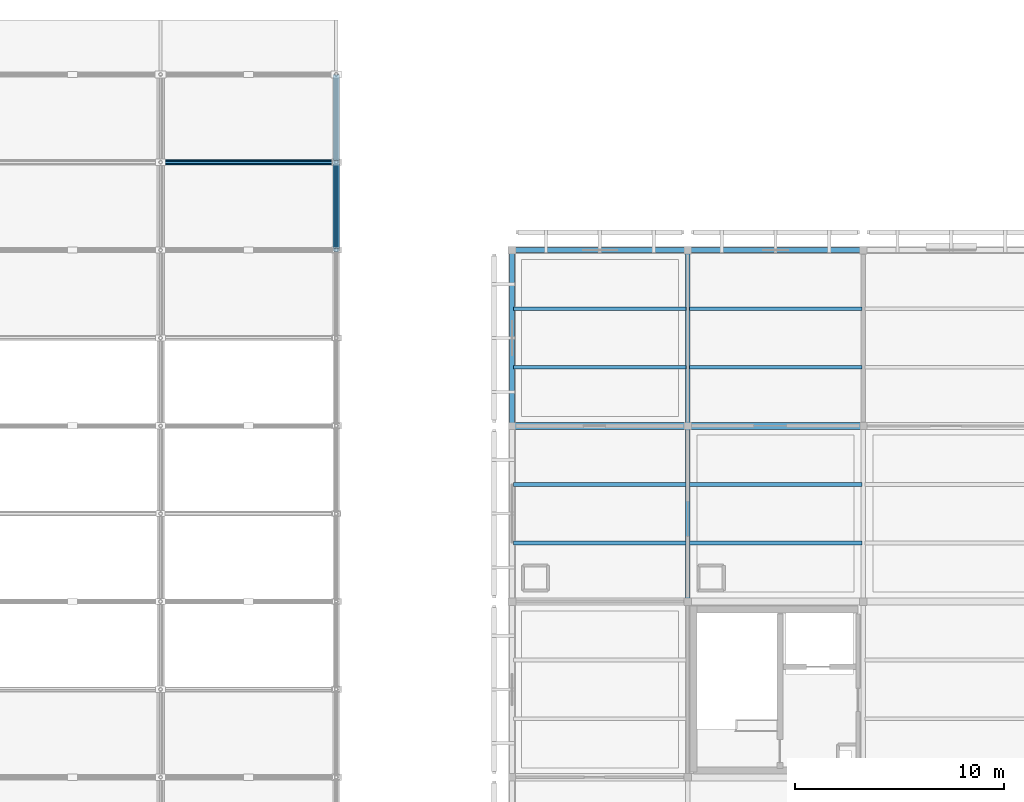
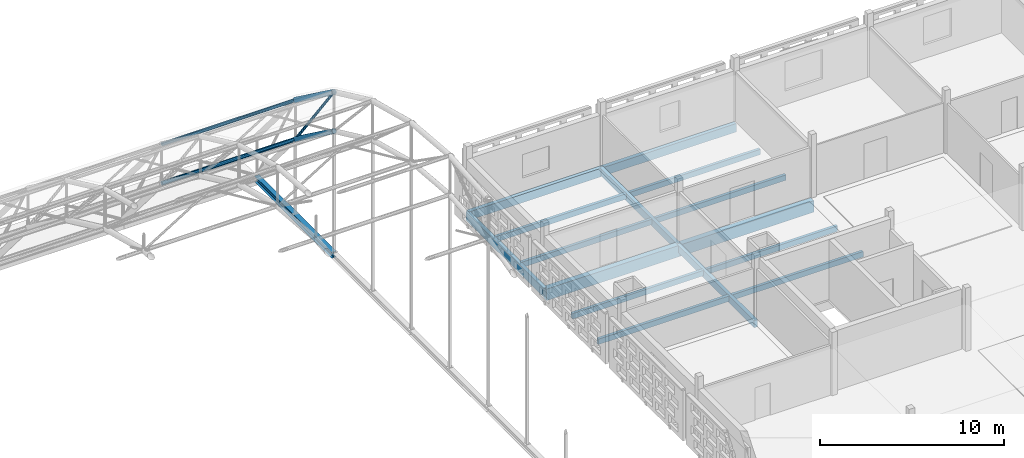
# One storey, part 62 of 103: 18 beams, 3 members.
"""IFC4 building model written with IfcOpenShell, lengths in metres."""

from ifc_helpers import new_model, si_unit, direction, frame, origin, origin_2d, place, context, subcontext, project, spatial, rectangle, hollow_circle, i_section, extrude, material, material_profile, profile_set, type_object, element, save


model = new_model("IFC4")

# Units and contexts
model_context = context("Model", 3, precision=1e-05, world=origin(), true_north=direction((0.0, 1.0)))
body_context = subcontext(model_context, "Body", "Model", "MODEL_VIEW")
ifc_project = project(units=[si_unit("LENGTHUNIT", "METRE"), si_unit("AREAUNIT", "SQUARE_METRE"), si_unit("VOLUMEUNIT", "CUBIC_METRE"), si_unit("PLANEANGLEUNIT", "RADIAN"), si_unit("MASSUNIT", "GRAM", prefix="KILO")], contexts=[model_context])

# Site, building, storey
site_placement = place(None, origin())
site = spatial("IfcSite", under=ifc_project, at=site_placement, CompositionType="ELEMENT")
building_placement = place(site_placement, origin())
building = spatial("IfcBuilding", under=site, at=building_placement, Name="Varnapada Polytechnic", CompositionType="ELEMENT")
storey_placement = place(building_placement, frame((0.0, 0.0, 18.0)))
storey = spatial("IfcBuildingStorey", under=building, at=storey_placement, Name="L04", CompositionType="ELEMENT", Elevation=18.0)

# Beams
ifc_material_1 = material(Name="Glulam GL32h", Category="wood")
ifc_material_profile_1 = material_profile(ifc_material_1, rectangle(XDim=0.340087890625, YDim=0.760009765625, at=origin_2d()), Name="GL 340x760")
ifc_profile_set_1 = profile_set([ifc_material_profile_1], Name="Glulam GL32h")
beam_type_1 = type_object("IfcBeamType", Name="Archive stack glulam girder GG-07 (GL 340x760)", PredefinedType="BEAM", material=ifc_profile_set_1)
beam_1_placement = place(storey_placement, frame((142.800048828125, 109.199951171875, -0.60009765625), z_axis=(1.0, 0.0, 0.0), x_axis=(0.0, 1.0, 0.0)))
element("IfcBeam", 1, at=beam_1_placement, inside=storey, type_object=beam_type_1, Name="L04 beam X 18-19 at Y14", PredefinedType="BEAM", context=body_context, shape_type="SweptSolid", body=[
    extrude(rectangle(XDim=0.340087890625, YDim=0.760009765625, at=origin_2d()), origin(), (0.0, 0.0, 1.0), 8.39990234375),
])
beam_2_placement = place(storey_placement, frame((151.199951171875, 109.199951171875, -0.60009765625), z_axis=(1.0, 0.0, 0.0), x_axis=(0.0, 1.0, 0.0)))
element("IfcBeam", 2, at=beam_2_placement, inside=storey, type_object=beam_type_1, Name="L04 beam X 19-20 at Y14", PredefinedType="BEAM", context=body_context, shape_type="SweptSolid", body=[
    extrude(rectangle(XDim=0.340087890625, YDim=0.760009765625, at=origin_2d()), origin(), (0.0, 0.0, 1.0), 8.400146484375),
])
ifc_material_profile_2 = material_profile(ifc_material_1, rectangle(XDim=0.239990234375, YDim=0.56005859375, at=origin_2d()), Name="GL 240x560")
ifc_profile_set_2 = profile_set([ifc_material_profile_2], Name="Glulam GL32h")
beam_type_2 = type_object("IfcBeamType", Name="Perimeter glulam spandrel beam SP-02 (GL 240x560)", PredefinedType="SPANDREL", material=ifc_profile_set_2)
beam_3_placement = place(storey_placement, frame((142.800048828125, 117.60009765625, -0.5), z_axis=(1.0, 0.0, 0.0), x_axis=(0.0, 1.0, 0.0)))
element("IfcBeam", 3, at=beam_3_placement, inside=storey, type_object=beam_type_2, Name="L04 beam X 18-19 at Y15", PredefinedType="SPANDREL", context=body_context, shape_type="SweptSolid", body=[
    extrude(rectangle(XDim=0.239990234375, YDim=0.56005859375, at=origin_2d()), origin(), (0.0, 0.0, 1.0), 8.39990234375),
])
for number, where, z_axis, x_axis, name in (
    (4, (151.199951171875, 117.60009765625, -0.5), (1.0, 0.0, 0.0), (0.0, 1.0, 0.0), "L04 beam X 19-20 at Y15"),
    (5, (142.800048828125, 109.199951171875, -0.5), (0.0, 1.0, 0.0), (-1.0, 0.0, 0.0), "L04 beam Y 14-15 at X18"),
):
    element("IfcBeam", number, at=place(storey_placement, frame(where, z_axis=z_axis, x_axis=x_axis)), inside=storey, type_object=beam_type_2, Name=name, PredefinedType="SPANDREL", context=body_context, shape_type="SweptSolid", body=[
        extrude(rectangle(XDim=0.239990234375, YDim=0.56005859375, at=origin_2d()), origin(), (0.0, 0.0, 1.0), 8.400146484375),
    ])
ifc_material_2 = material(Name="Steel S355", Category="steel")
ifc_material_profile_3 = material_profile(ifc_material_2, hollow_circle(Radius=0.149169921875, WallThickness=0.010009765625, at=origin_2d()), Name="CHS 298.5x10.0")
ifc_profile_set_3 = profile_set([ifc_material_profile_3], Name="Steel S355")
beam_type_3 = type_object("IfcBeamType", Name="Space frame end-bay arch rib VA-04 (CHS 298.5x10.0)", PredefinedType="BEAM", material=ifc_profile_set_3)
beam_4_placement = place(storey_placement, frame((134.39990234375, 117.60009765625, 8.02783203125), z_axis=(0.0, 0.806528689778, -0.591194953095), x_axis=(-1.0, 0.0, 0.0)))
element("IfcBeam", 6, at=beam_4_placement, inside=storey, type_object=beam_type_3, Name="Vaulted space frame bottom arch chord 11.9", PredefinedType="BEAM", context=body_context, shape_type="SweptSolid", body=[
    extrude(hollow_circle(Radius=0.149169921875, WallThickness=0.010009765625, at=origin_2d()), origin(), (0.0, 0.0, 1.0), 5.20751953125),
])

# Member
ifc_material_profile_4 = material_profile(ifc_material_2, hollow_circle(Radius=0.07958984375, WallThickness=0.00634765625, at=origin_2d()), Name="CHS 159.0x6.3")
ifc_profile_set_4 = profile_set([ifc_material_profile_4], Name="Steel S355")
member_type_1 = type_object("IfcMemberType", Name="Space frame perimeter web diagonal SFB-03 (CHS 159.0x6.3)", PredefinedType="BRACE", material=ifc_profile_set_4)
member_1_placement = place(storey_placement, frame((134.39990234375, 117.60009765625, 10.6279296875), z_axis=(0.0, 0.594633036041, -0.803997234105), x_axis=(-1.0, 0.0, 0.0)))
element("IfcMember", 7, at=member_1_placement, inside=storey, type_object=member_type_1, Name="Vaulted space frame web diagonal 11.9", PredefinedType="BRACE", context=body_context, shape_type="SweptSolid", body=[
    extrude(hollow_circle(Radius=0.07958984375, WallThickness=0.00634765625, at=origin_2d()), origin(), (0.0, 0.0, 1.0), 7.06298828125),
])

# Beams
ifc_material_profile_5 = material_profile(ifc_material_2, i_section(OverallWidth=0.300048828125, OverallDepth=0.389892578125, WebThickness=0.010986328125, FlangeThickness=0.01904296875, FilletRadius=0.027099609375, at=origin_2d()), Name="HEA 400")
ifc_profile_set_5 = profile_set([ifc_material_profile_5], Name="Steel S355")
beam_type_4 = type_object("IfcBeamType", Name="Steel roof primary girder SG-01 (HEA 400)", PredefinedType="BEAM", material=ifc_profile_set_5)
beam_5_placement = place(storey_placement, frame((134.39990234375, 117.60009765625, -0.18994140625), z_axis=(0.0, 1.0, 0.0), x_axis=(-1.0, 0.0, 0.0)))
element("IfcBeam", 8, at=beam_5_placement, inside=storey, type_object=beam_type_4, Name="L04 workshop arch tympanum sill girder E.5", PredefinedType="BEAM", context=body_context, shape_type="SweptSolid", body=[
    extrude(i_section(OverallWidth=0.300048828125, OverallDepth=0.389892578125, WebThickness=0.010986328125, FlangeThickness=0.01904296875, FilletRadius=0.027099609375, at=origin_2d()), origin(), (0.0, 0.0, 1.0), 8.39990234375),
])
ifc_material_profile_6 = material_profile(ifc_material_1, rectangle(XDim=0.179931640625, YDim=0.360107421875, at=origin_2d()), Name="GL 180x360")
ifc_profile_set_6 = profile_set([ifc_material_profile_6], Name="Glulam GL32h")
beam_type_5 = type_object("IfcBeamType", Name="Studio/seminar glulam floor joist GJ-02 (GL 180x360)", PredefinedType="JOIST", material=ifc_profile_set_6)
for number, where, z_axis, x_axis, name in (
    (9, (142.8798828125, 103.60009765625, -0.39990234375), (1.0, 0.0, 0.0), (0.0, 1.0, 0.0), "L04 floor joist 18/13.1"),
    (10, (142.8798828125, 106.39990234375, -0.39990234375), (1.0, 0.0, 0.0), (0.0, 1.0, 0.0), "L04 floor joist 18/13.2"),
    (11, (142.8798828125, 112.0, -0.39990234375), (1.0, 0.0, 0.0), (0.0, 1.0, 0.0), "L04 floor joist 18/14.1"),
    (12, (142.8798828125, 114.800048828125, -0.39990234375), (1.0, 0.0, 0.0), (0.0, 1.0, 0.0), "L04 floor joist 18/14.2"),
):
    element("IfcBeam", number, at=place(storey_placement, frame(where, z_axis=z_axis, x_axis=x_axis)), inside=storey, type_object=beam_type_5, Name=name, PredefinedType="JOIST", context=body_context, shape_type="SweptSolid", body=[
        extrude(rectangle(XDim=0.179931640625, YDim=0.360107421875, at=origin_2d()), origin(), (0.0, 0.0, 1.0), 8.240234375),
    ])
for number, where, z_axis, x_axis, name in (
    (13, (151.280029296875, 103.60009765625, -0.39990234375), (1.0, 0.0, 0.0), (0.0, 1.0, 0.0), "L04 floor joist 19/13.1"),
    (14, (151.280029296875, 106.39990234375, -0.39990234375), (1.0, 0.0, 0.0), (0.0, 1.0, 0.0), "L04 floor joist 19/13.2"),
    (15, (151.280029296875, 112.0, -0.39990234375), (1.0, 0.0, 0.0), (0.0, 1.0, 0.0), "L04 floor joist 19/14.1"),
    (16, (151.280029296875, 114.800048828125, -0.39990234375), (1.0, 0.0, 0.0), (0.0, 1.0, 0.0), "L04 floor joist 19/14.2"),
):
    element("IfcBeam", number, at=place(storey_placement, frame(where, z_axis=z_axis, x_axis=x_axis)), inside=storey, type_object=beam_type_5, Name=name, PredefinedType="JOIST", context=body_context, shape_type="SweptSolid", body=[
        extrude(rectangle(XDim=0.179931640625, YDim=0.360107421875, at=origin_2d()), origin(), (0.0, 0.0, 1.0), 8.239990234375),
    ])
ifc_material_profile_7 = material_profile(ifc_material_1, rectangle(XDim=0.219970703125, YDim=0.47998046875, at=origin_2d()), Name="GL 220x480")
ifc_profile_set_7 = profile_set([ifc_material_profile_7], Name="Glulam GL32h")
beam_type_6 = type_object("IfcBeamType", Name="Upper floor glulam tie beam GB-11 (GL 220x480)", PredefinedType="BEAM", material=ifc_profile_set_7)
beam_6_placement = place(storey_placement, frame((151.199951171875, 100.800048828125, -0.4599609375), z_axis=(0.0, 1.0, 0.0), x_axis=(-1.0, 0.0, 0.0)))
element("IfcBeam", 17, at=beam_6_placement, inside=storey, type_object=beam_type_6, Name="L04 beam Y 13-14 at X19", PredefinedType="BEAM", context=body_context, shape_type="SweptSolid", body=[
    extrude(rectangle(XDim=0.219970703125, YDim=0.47998046875, at=origin_2d()), origin(), (0.0, 0.0, 1.0), 8.39990234375),
])
beam_7_placement = place(storey_placement, frame((151.199951171875, 109.199951171875, -0.4599609375), z_axis=(0.0, 1.0, 0.0), x_axis=(-1.0, 0.0, 0.0)))
element("IfcBeam", 18, at=beam_7_placement, inside=storey, type_object=beam_type_6, Name="L04 beam Y 14-15 at X19", PredefinedType="BEAM", context=body_context, shape_type="SweptSolid", body=[
    extrude(rectangle(XDim=0.219970703125, YDim=0.47998046875, at=origin_2d()), origin(), (0.0, 0.0, 1.0), 8.400146484375),
])

# Members
ifc_material_profile_8 = material_profile(ifc_material_2, hollow_circle(Radius=0.122314453125, WallThickness=0.008056640625, at=origin_2d()), Name="CHS 244.5x8.0")
ifc_profile_set_8 = profile_set([ifc_material_profile_8], Name="Steel S355")
member_type_2 = type_object("IfcMemberType", Name="Vaulted space frame longitudinal bottom chord SFC-01 (CHS 244.5x8.0)", PredefinedType="CHORD", material=ifc_profile_set_8)
member_2_placement = place(storey_placement, frame((126.0, 121.800048828125, 4.94921875), z_axis=(1.0, 0.0, 0.0), x_axis=(0.0, 1.0, 0.0)))
element("IfcMember", 19, at=member_2_placement, inside=storey, type_object=member_type_2, Name="Vaulted space frame longitudinal bottom chord 10.10", PredefinedType="CHORD", context=body_context, shape_type="SweptSolid", body=[
    extrude(hollow_circle(Radius=0.122314453125, WallThickness=0.008056640625, at=origin_2d()), origin(), (0.0, 0.0, 1.0), 8.39990234375),
])
ifc_material_profile_9 = material_profile(ifc_material_2, hollow_circle(Radius=0.109619140625, WallThickness=0.008056640625, at=origin_2d()), Name="CHS 219.1x8.0")
ifc_profile_set_9 = profile_set([ifc_material_profile_9], Name="Steel S355")
member_type_3 = type_object("IfcMemberType", Name="Vaulted space frame longitudinal top chord SFC-02 (CHS 219.1x8.0)", PredefinedType="CHORD", material=ifc_profile_set_9)
member_3_placement = place(storey_placement, frame((126.0, 121.800048828125, 7.549072265625), z_axis=(1.0, 0.0, 0.0), x_axis=(0.0, 1.0, 0.0)))
element("IfcMember", 20, at=member_3_placement, inside=storey, type_object=member_type_3, Name="Vaulted space frame longitudinal top chord 10.10", PredefinedType="CHORD", context=body_context, shape_type="SweptSolid", body=[
    extrude(hollow_circle(Radius=0.109619140625, WallThickness=0.008056640625, at=origin_2d()), origin(), (0.0, 0.0, 1.0), 8.39990234375),
])

# Beam
ifc_material_profile_10 = material_profile(ifc_material_2, hollow_circle(Radius=0.161865234375, WallThickness=0.010009765625, at=origin_2d()), Name="CHS 323.9x10.0")
ifc_profile_set_10 = profile_set([ifc_material_profile_10], Name="Steel S355")
beam_type_7 = type_object("IfcBeamType", Name="Vaulted space frame upper arch rib VA-02 (CHS 323.9x10.0)", PredefinedType="BEAM", material=ifc_profile_set_10)
beam_8_placement = place(storey_placement, frame((134.39990234375, 117.60009765625, 10.6279296875), z_axis=(0.0, 0.806506335259, -0.591225448698), x_axis=(-1.0, 0.0, 0.0)))
element("IfcBeam", 21, at=beam_8_placement, inside=storey, type_object=beam_type_7, Name="Vaulted space frame top arch chord 11.9", PredefinedType="BEAM", context=body_context, shape_type="SweptSolid", body=[
    extrude(hollow_circle(Radius=0.161865234375, WallThickness=0.010009765625, at=origin_2d()), origin(), (0.0, 0.0, 1.0), 5.20751953125),
])

save(model, "model.ifc")
